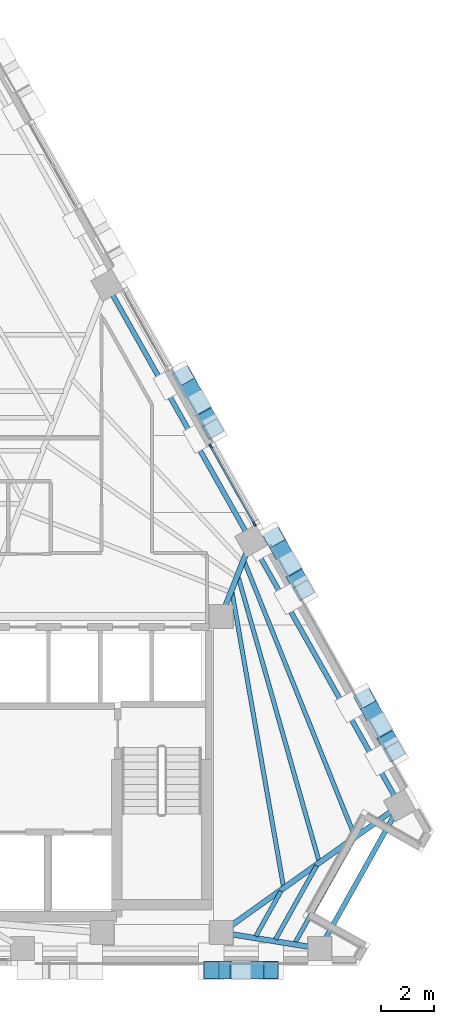
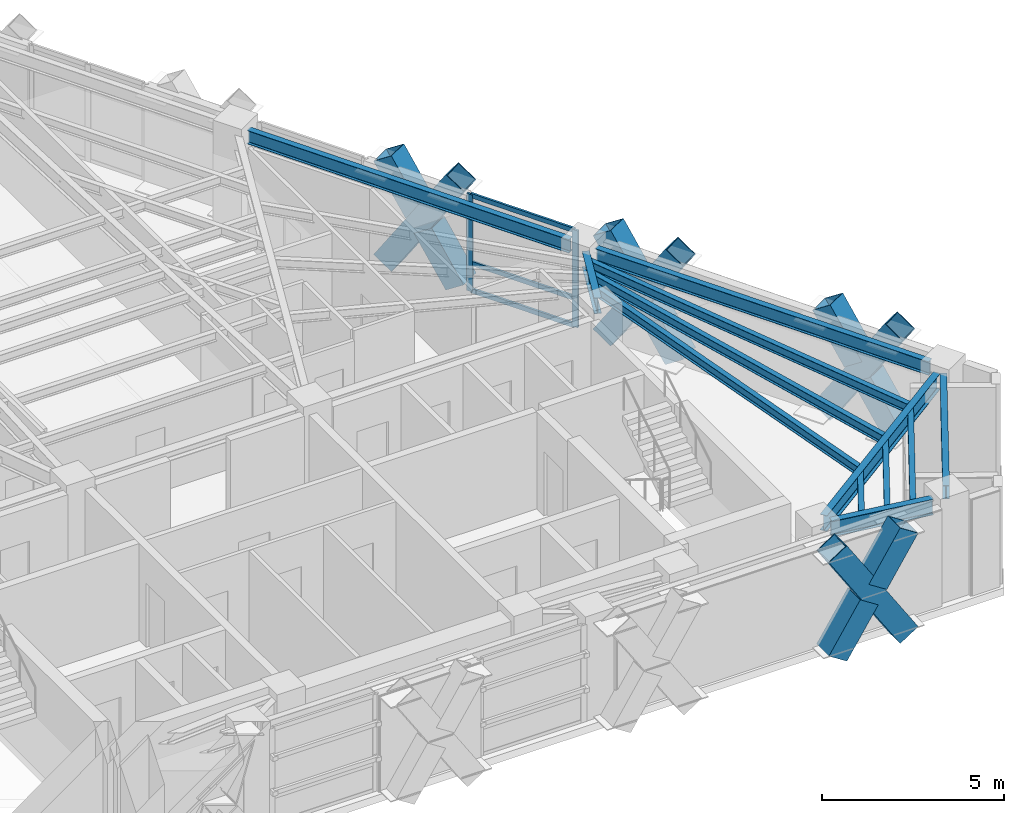
# One storey, part 5 of 13: 17 members, 12 beams, 1 element without a shape of its own.
"""IFC4 building model written with IfcOpenShell, lengths in metres."""

from ifc_helpers import new_model, si_unit, direction, frame, origin, origin_2d, place, context, subcontext, project, spatial, rectangle, hollow_rectangle, i_section, extrude, material, material_profile, profile_set, type_object, element, aggregate, save


model = new_model("IFC4")

# Units and contexts
model_context = context("Model", 3, precision=1e-05, world=origin(), true_north=direction((0.0, 1.0)))
body_context = subcontext(model_context, "Body", "Model", "MODEL_VIEW")
ifc_project = project(units=[si_unit("LENGTHUNIT", "METRE"), si_unit("AREAUNIT", "SQUARE_METRE"), si_unit("VOLUMEUNIT", "CUBIC_METRE"), si_unit("PLANEANGLEUNIT", "RADIAN"), si_unit("MASSUNIT", "GRAM", prefix="KILO")], contexts=[model_context])

# Site, building, storey
site_placement = place(None, origin())
site = spatial("IfcSite", under=ifc_project, at=site_placement, CompositionType="ELEMENT")
building_placement = place(site_placement, origin())
building = spatial("IfcBuilding", under=site, at=building_placement, Name="Quenlor Broadcast Tower", CompositionType="ELEMENT")
storey_placement = place(building_placement, frame((0.0, 0.0, 214.89990234375)))
storey = spatial("IfcBuildingStorey", under=building, at=storey_placement, Name="L59", CompositionType="ELEMENT", Elevation=214.89990234375)

# Curtain wall, members
ifc_material_1 = material(Name="Architectural Terracotta and Low-E Glazing", Category="masonry")
curtain_wall_type = type_object("IfcCurtainWallType", Name="Unitised Terracotta Curtain Wall System Z4", PredefinedType="NOTDEFINED", material=ifc_material_1)
curtain_wall_placement = place(storey_placement, origin())
curtain_wall = element("IfcCurtainWall", 1, at=curtain_wall_placement, inside=storey, type_object=curtain_wall_type, Name="L59 Curtain Wall CW4 (L59-NE-G2)", PredefinedType="NOTDEFINED")
ifc_material_2 = material(Name="Aluminium 6063-T6", Category="aluminium")
ifc_material_profile_1 = material_profile(ifc_material_2, rectangle(XDim=0.068115234375, YDim=0.179931640625, at=origin_2d()))
ifc_profile_set_1 = profile_set([ifc_material_profile_1], Name="Aluminium 6063-T6 MULL68x180")
member_type_1 = type_object("IfcMemberType", Name="CW4 Aluminium Mullion MULL_CW4", PredefinedType="MULLION", material=ifc_profile_set_1)
member_1_placement = place(storey_placement, frame((12.55126953125, 1.627685546875, 0.0), z_axis=(0.0, 0.0, 1.0), x_axis=(0.871577871382, 0.490257089819, 0.0)))
member_1 = element("IfcMember", 2, at=member_1_placement, type_object=member_type_1, Name="CW4 mullion 1", PredefinedType="MULLION", context=body_context, shape_type="SweptSolid", body=[
    extrude(rectangle(XDim=0.068115234375, YDim=0.179931640625, at=origin_2d()), origin(), (0.0, 0.0, 1.0), 3.25),
])
member_2_placement = place(storey_placement, frame((14.20068359375, -1.3046875, 0.0), z_axis=(0.0, 0.0, 1.0), x_axis=(0.871577871382, 0.490257089819, 0.0)))
member_2 = element("IfcMember", 3, at=member_2_placement, type_object=member_type_1, Name="CW4 mullion 2", PredefinedType="MULLION", context=body_context, shape_type="SweptSolid", body=[
    extrude(rectangle(XDim=0.068115234375, YDim=0.179931640625, at=origin_2d()), origin(), (0.0, 0.0, 1.0), 3.25),
])
ifc_material_3 = material(Name="Aluminium 6063-T6", Category="aluminium")
ifc_material_profile_2 = material_profile(ifc_material_3, rectangle(XDim=0.068115234375, YDim=0.14990234375, at=origin_2d()))
ifc_profile_set_2 = profile_set([ifc_material_profile_2], Name="Aluminium 6063-T6 TRAN68x150")
member_type_2 = type_object("IfcMemberType", Name="CW4 Aluminium Transom TRAN_CW4", PredefinedType="USERDEFINED", material=ifc_profile_set_2)
member_3_placement = place(storey_placement, frame((12.568115234375, 1.597900390625, 0.0341796875), z_axis=(0.490233108043, -0.871591360546, 0.0), x_axis=(0.871591360546, 0.490233108043, 0.0)))
member_3 = element("IfcMember", 4, at=member_3_placement, type_object=member_type_2, Name="CW4 transom 1.1", ObjectType="TRANSOM", PredefinedType="USERDEFINED", context=body_context, shape_type="SweptSolid", body=[
    extrude(rectangle(XDim=0.068115234375, YDim=0.14990234375, at=origin_2d()), origin(), (0.0, 0.0, 1.0), 3.29638671875),
])
member_4_placement = place(storey_placement, frame((12.568115234375, 1.597900390625, 0.9501953125), z_axis=(0.490233108043, -0.871591360546, 0.0), x_axis=(0.871591360546, 0.490233108043, 0.0)))
member_4 = element("IfcMember", 5, at=member_4_placement, type_object=member_type_2, Name="CW4 transom 1.2", ObjectType="TRANSOM", PredefinedType="USERDEFINED", context=body_context, shape_type="SweptSolid", body=[
    extrude(rectangle(XDim=0.068115234375, YDim=0.14990234375, at=origin_2d()), origin(), (0.0, 0.0, 1.0), 3.29638671875),
])
member_5_placement = place(storey_placement, frame((12.568115234375, 1.597900390625, 3.216064453125), z_axis=(0.490233108043, -0.871591360546, 0.0), x_axis=(0.871591360546, 0.490233108043, 0.0)))
member_5 = element("IfcMember", 6, at=member_5_placement, type_object=member_type_2, Name="CW4 transom 1.3", ObjectType="TRANSOM", PredefinedType="USERDEFINED", context=body_context, shape_type="SweptSolid", body=[
    extrude(rectangle(XDim=0.068115234375, YDim=0.14990234375, at=origin_2d()), origin(), (0.0, 0.0, 1.0), 3.29638671875),
])
aggregate(curtain_wall, [member_1, member_2, member_3, member_4, member_5])

# Members
ifc_material_4 = material(Name="Steel S355", Category="steel")
ifc_material_profile_3 = material_profile(ifc_material_4, hollow_rectangle(XDim=0.679931640625, YDim=0.679931640625, WallThickness=0.02490234375, at=origin_2d()))
ifc_profile_set_3 = profile_set([ifc_material_profile_3], Name="Steel S355 RHS680x680x25")
member_type_3 = type_object("IfcMemberType", Name="Perimeter Diagonal Lattice Brace Z3-Z4 Steel S355 RHS680x25", PredefinedType="BRACE", material=ifc_profile_set_3)
member_6_placement = place(storey_placement, frame((14.828857421875, -18.169921875, -0.119873046875), z_axis=(-0.541794306908, 0.0, 0.840511111766), x_axis=(0.0, -1.0, 0.0)))
element("IfcMember", 7, at=member_6_placement, inside=storey, type_object=member_type_3, Name="L59 Perimeter Diamond Lattice S-C1XA", PredefinedType="BRACE", context=body_context, shape_type="SweptSolid", body=[
    extrude(hollow_rectangle(XDim=0.679931640625, YDim=0.679931640625, WallThickness=0.02490234375, at=origin_2d()), origin(), (0.0, 0.0, 1.0), 4.1640625),
])
member_7_placement = place(storey_placement, frame((12.57275390625, -18.169921875, -0.119873046875), z_axis=(0.54184151587, 0.0, 0.840480678945), x_axis=(0.0, 1.0, 0.0)))
element("IfcMember", 8, at=member_7_placement, inside=storey, type_object=member_type_3, Name="L59 Perimeter Diamond Lattice S-C1XB1", PredefinedType="BRACE", context=body_context, shape_type="SweptSolid", body=[
    extrude(hollow_rectangle(XDim=0.679931640625, YDim=0.679931640625, WallThickness=0.02490234375, at=origin_2d()), origin(), (0.0, 0.0, 1.0), 1.83203125),
])
member_8_placement = place(storey_placement, frame((13.836181640625, -18.169921875, 1.840087890625), z_axis=(0.541780832962, 0.0, 0.840519796932), x_axis=(0.0, 1.0, 0.0)))
element("IfcMember", 9, at=member_8_placement, inside=storey, type_object=member_type_3, Name="L59 Perimeter Diamond Lattice S-C1XB2", PredefinedType="BRACE", context=body_context, shape_type="SweptSolid", body=[
    extrude(hollow_rectangle(XDim=0.679931640625, YDim=0.679931640625, WallThickness=0.02490234375, at=origin_2d()), origin(), (0.0, 0.0, 1.0), 1.832275390625),
])
member_9_placement = place(storey_placement, frame((11.508544921875, 4.287109375, -0.119873046875), z_axis=(0.269493020061, -0.479144022478, 0.835340959047), x_axis=(0.871595351467, 0.490226012469, 0.0)))
element("IfcMember", 10, at=member_9_placement, inside=storey, type_object=member_type_3, Name="L59 Perimeter Diamond Lattice NE-C3XA", PredefinedType="BRACE", context=body_context, shape_type="SweptSolid", body=[
    extrude(hollow_rectangle(XDim=0.679931640625, YDim=0.679931640625, WallThickness=0.02490234375, at=origin_2d()), origin(), (0.0, 0.0, 1.0), 4.18994140625),
])
for number, where, z_axis, x_axis, name in (
    (11, (12.6376953125, 2.279541015625, -0.119873046875), (-0.269535527865, 0.479130165145, 0.835335192642), (-0.871556252289, -0.490295522207, 0.0), "L59 Perimeter Diamond Lattice NE-C3XB1"),
    (12, (12.005859375, 3.403076171875, 1.8388671875), (-0.269535527865, 0.479130165145, 0.835335192642), (-0.871556252289, -0.490295522207, 0.0), "L59 Perimeter Diamond Lattice NE-C3XB2"),
):
    element("IfcMember", number, at=place(storey_placement, frame(where, z_axis=z_axis, x_axis=x_axis)), inside=storey, type_object=member_type_3, Name=name, PredefinedType="BRACE", context=body_context, shape_type="SweptSolid", body=[
        extrude(hollow_rectangle(XDim=0.679931640625, YDim=0.679931640625, WallThickness=0.02490234375, at=origin_2d()), origin(), (0.0, 0.0, 1.0), 1.844970703125),
    ])
member_10_placement = place(storey_placement, frame((14.9375, -1.80908203125, -0.119873046875), z_axis=(0.269547055694, -0.479136497832, 0.835327840559), x_axis=(0.871550060774, 0.49030652817, 0.0)))
element("IfcMember", 13, at=member_10_placement, inside=storey, type_object=member_type_3, Name="L59 Perimeter Diamond Lattice NE-C4XA", PredefinedType="BRACE", context=body_context, shape_type="SweptSolid", body=[
    extrude(hollow_rectangle(XDim=0.679931640625, YDim=0.679931640625, WallThickness=0.02490234375, at=origin_2d()), origin(), (0.0, 0.0, 1.0), 4.18994140625),
])
for number, where, z_axis, x_axis, name in (
    (14, (16.06689453125, -3.816650390625, -0.119873046875), (-0.269535527865, 0.479130165145, 0.835335192642), (-0.871556252289, -0.490295522207, 0.0), "L59 Perimeter Diamond Lattice NE-C4XB1"),
    (15, (15.434814453125, -2.693115234375, 1.8388671875), (-0.269535527865, 0.479130165145, 0.835335192642), (-0.871556252289, -0.490295522207, 0.0), "L59 Perimeter Diamond Lattice NE-C4XB2"),
):
    element("IfcMember", number, at=place(storey_placement, frame(where, z_axis=z_axis, x_axis=x_axis)), inside=storey, type_object=member_type_3, Name=name, PredefinedType="BRACE", context=body_context, shape_type="SweptSolid", body=[
        extrude(hollow_rectangle(XDim=0.679931640625, YDim=0.679931640625, WallThickness=0.02490234375, at=origin_2d()), origin(), (0.0, 0.0, 1.0), 1.844970703125),
    ])
member_11_placement = place(storey_placement, frame((18.36669921875, -7.9052734375, -0.119873046875), z_axis=(0.269547055694, -0.479136497832, 0.835327840559), x_axis=(0.871550060774, 0.49030652817, 0.0)))
element("IfcMember", 16, at=member_11_placement, inside=storey, type_object=member_type_3, Name="L59 Perimeter Diamond Lattice NE-C5XA", PredefinedType="BRACE", context=body_context, shape_type="SweptSolid", body=[
    extrude(hollow_rectangle(XDim=0.679931640625, YDim=0.679931640625, WallThickness=0.02490234375, at=origin_2d()), origin(), (0.0, 0.0, 1.0), 4.18994140625),
])
for number, where, z_axis, x_axis, name in (
    (17, (19.49609375, -9.912841796875, -0.119873046875), (-0.269535527865, 0.479130165145, 0.835335192642), (-0.871556252289, -0.490295522207, 0.0), "L59 Perimeter Diamond Lattice NE-C5XB1"),
    (18, (18.864013671875, -8.789306640625, 1.8388671875), (-0.269535527865, 0.479130165145, 0.835335192642), (-0.871556252289, -0.490295522207, 0.0), "L59 Perimeter Diamond Lattice NE-C5XB2"),
):
    element("IfcMember", number, at=place(storey_placement, frame(where, z_axis=z_axis, x_axis=x_axis)), inside=storey, type_object=member_type_3, Name=name, PredefinedType="BRACE", context=body_context, shape_type="SweptSolid", body=[
        extrude(hollow_rectangle(XDim=0.679931640625, YDim=0.679931640625, WallThickness=0.02490234375, at=origin_2d()), origin(), (0.0, 0.0, 1.0), 1.844970703125),
    ])

# Beams
ifc_material_5 = material(Name="Steel S355", Category="steel")
ifc_material_profile_4 = material_profile(ifc_material_5, i_section(OverallWidth=0.18994140625, OverallDepth=0.453857421875, WebThickness=0.008544921875, FlangeThickness=0.0126953125, FilletRadius=0.011474609375, at=origin_2d()))
ifc_profile_set_4 = profile_set([ifc_material_profile_4], Name="Steel S355 460UB67.1")
beam_type_1 = type_object("IfcBeamType", Name="Perimeter Spandrel Beam Z4 Steel S355 460UB67.1", PredefinedType="SPANDREL", material=ifc_profile_set_4)
beam_1_placement = place(storey_placement, frame((16.875732421875, -16.991943359375, 3.023193359375), z_axis=(0.487647250206, 0.8730407547, 0.0), x_axis=(-0.8730407547, 0.487647250206, 0.0)))
element("IfcBeam", 19, at=beam_1_placement, inside=storey, type_object=beam_type_1, Name="L59 Spandrel Beam S4-NE1", PredefinedType="SPANDREL", context=body_context, shape_type="SweptSolid", body=[
    extrude(i_section(OverallWidth=0.18994140625, OverallDepth=0.453857421875, WebThickness=0.008544921875, FlangeThickness=0.0126953125, FilletRadius=0.011474609375, at=origin_2d()), origin(), (0.0, 0.0, 1.0), 5.37451171875),
])
beam_2_placement = place(storey_placement, frame((19.49560546875, -11.58447265625, 3.023193359375), z_axis=(-0.490272131974, 0.871569410093, 0.0), x_axis=(-0.871569410093, -0.490272131974, 0.0)))
element("IfcBeam", 20, at=beam_2_placement, inside=storey, type_object=beam_type_1, Name="L59 Spandrel Beam NE1-NE2", PredefinedType="SPANDREL", context=body_context, shape_type="SweptSolid", body=[
    extrude(i_section(OverallWidth=0.18994140625, OverallDepth=0.453857421875, WebThickness=0.008544921875, FlangeThickness=0.0126953125, FilletRadius=0.011474609375, at=origin_2d()), origin(), (0.0, 0.0, 1.0), 10.6416015625),
])
beam_3_placement = place(storey_placement, frame((13.87646484375, -1.594970703125, 3.023193359375), z_axis=(-0.490263496537, 0.871574267612, 0.0), x_axis=(-0.871574267612, -0.490263496537, 0.0)))
element("IfcBeam", 21, at=beam_3_placement, inside=storey, type_object=beam_type_1, Name="L59 Spandrel Beam NE2-NE3", PredefinedType="SPANDREL", context=body_context, shape_type="SweptSolid", body=[
    extrude(i_section(OverallWidth=0.18994140625, OverallDepth=0.453857421875, WebThickness=0.008544921875, FlangeThickness=0.0126953125, FilletRadius=0.011474609375, at=origin_2d()), origin(), (0.0, 0.0, 1.0), 10.271728515625),
])
ifc_material_6 = material(Name="Steel S355", Category="steel")
ifc_material_profile_5 = material_profile(ifc_material_6, i_section(OverallWidth=0.166015625, OverallDepth=0.30712890625, WebThickness=0.006591796875, FlangeThickness=0.01171875, FilletRadius=0.011474609375, at=origin_2d()))
ifc_profile_set_5 = profile_set([ifc_material_profile_5], Name="Steel S355 310UB46.2")
beam_type_2 = type_object("IfcBeamType", Name="Tower Composite Joist Z4-Z5 Steel S355 310UB46.2", PredefinedType="JOIST", material=ifc_profile_set_5)
beam_4_placement = place(storey_placement, frame((15.297607421875, -14.98828125, 3.096435546875), z_axis=(-0.172003691938, 0.985096304916, 0.0), x_axis=(-0.985096304916, -0.172003691938, 0.0)))
element("IfcBeam", 22, at=beam_4_placement, inside=storey, type_object=beam_type_2, Name="L59 Secondary Composite Joist 16", PredefinedType="JOIST", context=body_context, shape_type="SweptSolid", body=[
    extrude(i_section(OverallWidth=0.166015625, OverallDepth=0.30712890625, WebThickness=0.006591796875, FlangeThickness=0.01171875, FilletRadius=0.011474609375, at=origin_2d()), origin(), (0.0, 0.0, 1.0), 11.274169921875),
])
beam_5_placement = place(storey_placement, frame((16.638671875, -14.028564453125, 3.096435546875), z_axis=(-0.273447576454, 0.961886907558, 0.0), x_axis=(-0.961886907558, -0.273447576454, 0.0)))
element("IfcBeam", 23, at=beam_5_placement, inside=storey, type_object=beam_type_2, Name="L59 Secondary Composite Joist 17", PredefinedType="JOIST", context=body_context, shape_type="SweptSolid", body=[
    extrude(i_section(OverallWidth=0.166015625, OverallDepth=0.30712890625, WebThickness=0.006591796875, FlangeThickness=0.01171875, FilletRadius=0.011474609375, at=origin_2d()), origin(), (0.0, 0.0, 1.0), 11.142333984375),
])
beam_6_placement = place(storey_placement, frame((17.97998046875, -13.069580078125, 3.096435546875), z_axis=(-0.373094895103, 0.927793187757, 0.0), x_axis=(-0.927793187757, -0.373094895103, 0.0)))
element("IfcBeam", 24, at=beam_6_placement, inside=storey, type_object=beam_type_2, Name="L59 Secondary Composite Joist 18", PredefinedType="JOIST", context=body_context, shape_type="SweptSolid", body=[
    extrude(i_section(OverallWidth=0.166015625, OverallDepth=0.30712890625, WebThickness=0.006591796875, FlangeThickness=0.01171875, FilletRadius=0.011474609375, at=origin_2d()), origin(), (0.0, 0.0, 1.0), 11.13525390625),
])
beam_7_placement = place(storey_placement, frame((14.255859375, -16.88427734375, 3.096435546875), z_axis=(0.487590799665, 0.873072283423, 0.0), x_axis=(-0.873072283423, 0.487590799665, 0.0)))
element("IfcBeam", 25, at=beam_7_placement, inside=storey, type_object=beam_type_2, Name="L59 Secondary Composite Joist 22", PredefinedType="JOIST", context=body_context, shape_type="SweptSolid", body=[
    extrude(i_section(OverallWidth=0.166015625, OverallDepth=0.30712890625, WebThickness=0.006591796875, FlangeThickness=0.01171875, FilletRadius=0.011474609375, at=origin_2d()), origin(), (0.0, 0.0, 1.0), 1.9462890625),
])
beam_8_placement = place(storey_placement, frame((15.0009765625, -17.004150390625, 3.096435546875), z_axis=(0.487646119388, 0.87304138633, 0.0), x_axis=(-0.87304138633, 0.487646119388, 0.0)))
element("IfcBeam", 26, at=beam_8_placement, inside=storey, type_object=beam_type_2, Name="L59 Secondary Composite Joist 23", PredefinedType="JOIST", context=body_context, shape_type="SweptSolid", body=[
    extrude(i_section(OverallWidth=0.166015625, OverallDepth=0.30712890625, WebThickness=0.006591796875, FlangeThickness=0.01171875, FilletRadius=0.011474609375, at=origin_2d()), origin(), (0.0, 0.0, 1.0), 3.18505859375),
])
beam_9_placement = place(storey_placement, frame((15.74609375, -17.124267578125, 3.096435546875), z_axis=(0.487604899573, 0.873064408799, 0.0), x_axis=(-0.873064408799, 0.487604899573, 0.0)))
element("IfcBeam", 27, at=beam_9_placement, inside=storey, type_object=beam_type_2, Name="L59 Secondary Composite Joist 24", PredefinedType="JOIST", context=body_context, shape_type="SweptSolid", body=[
    extrude(i_section(OverallWidth=0.166015625, OverallDepth=0.30712890625, WebThickness=0.006591796875, FlangeThickness=0.01171875, FilletRadius=0.011474609375, at=origin_2d()), origin(), (0.0, 0.0, 1.0), 4.424072265625),
])
ifc_material_7 = material(Name="Steel S355", Category="steel")
ifc_material_profile_6 = material_profile(ifc_material_7, i_section(OverallWidth=0.208984375, OverallDepth=0.5283203125, WebThickness=0.009521484375, FlangeThickness=0.01318359375, FilletRadius=0.013916015625, at=origin_2d()))
ifc_profile_set_6 = profile_set([ifc_material_profile_6], Name="Steel S355 530UB82.0")
beam_type_3 = type_object("IfcBeamType", Name="Tower Primary Floor Beam Z4 Steel S355 530UB82.0", PredefinedType="BEAM", material=ifc_profile_set_6)
beam_10_placement = place(storey_placement, frame((16.27099609375, -17.284912109375, 2.986083984375), z_axis=(-0.987268490875, 0.159062650942, 0.0), x_axis=(-0.159062650942, -0.987268490875, 0.0)))
element("IfcBeam", 28, at=beam_10_placement, inside=storey, type_object=beam_type_3, Name="L59 Primary Radial Beam S4", PredefinedType="BEAM", context=body_context, shape_type="SweptSolid", body=[
    extrude(i_section(OverallWidth=0.208984375, OverallDepth=0.5283203125, WebThickness=0.009521484375, FlangeThickness=0.01318359375, FilletRadius=0.013916015625, at=origin_2d()), origin(), (0.0, 0.0, 1.0), 2.98388671875),
])
beam_11_placement = place(storey_placement, frame((19.362548828125, -12.1796875, 2.986083984375), z_axis=(-0.814329531787, -0.580402802938, 0.0), x_axis=(0.580402802938, -0.814329531787, 0.0)))
element("IfcBeam", 29, at=beam_11_placement, inside=storey, type_object=beam_type_3, Name="L59 Primary Radial Beam NE1", PredefinedType="BEAM", context=body_context, shape_type="SweptSolid", body=[
    extrude(i_section(OverallWidth=0.208984375, OverallDepth=0.5283203125, WebThickness=0.009521484375, FlangeThickness=0.01318359375, FilletRadius=0.013916015625, at=origin_2d()), origin(), (0.0, 0.0, 1.0), 7.49462890625),
])
beam_12_placement = place(storey_placement, frame((13.926513671875, -2.33349609375, 2.986083984375), z_axis=(-0.368110359783, -0.92978210513, 0.0), x_axis=(0.92978210513, -0.368110359783, 0.0)))
element("IfcBeam", 30, at=beam_12_placement, inside=storey, type_object=beam_type_3, Name="L59 Primary Radial Beam NE2", PredefinedType="BEAM", context=body_context, shape_type="SweptSolid", body=[
    extrude(i_section(OverallWidth=0.208984375, OverallDepth=0.5283203125, WebThickness=0.009521484375, FlangeThickness=0.01318359375, FilletRadius=0.013916015625, at=origin_2d()), origin(), (0.0, 0.0, 1.0), 2.27294921875),
])

save(model, "model.ifc")
